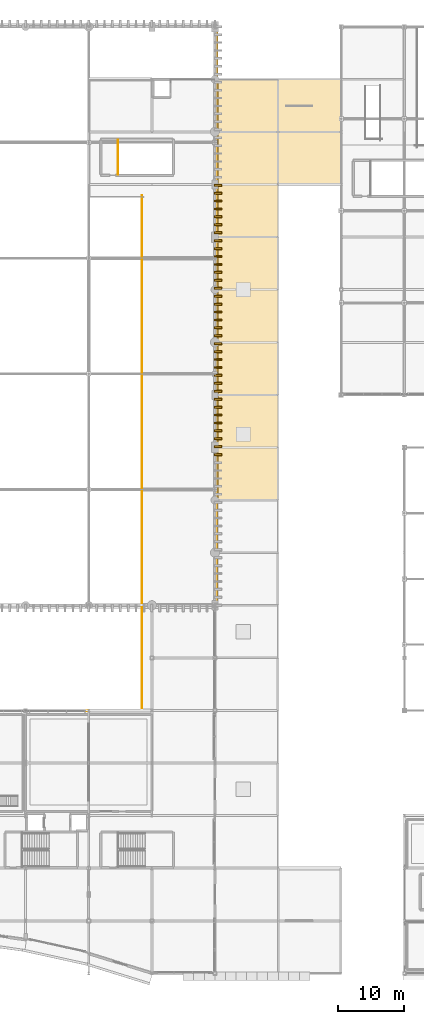
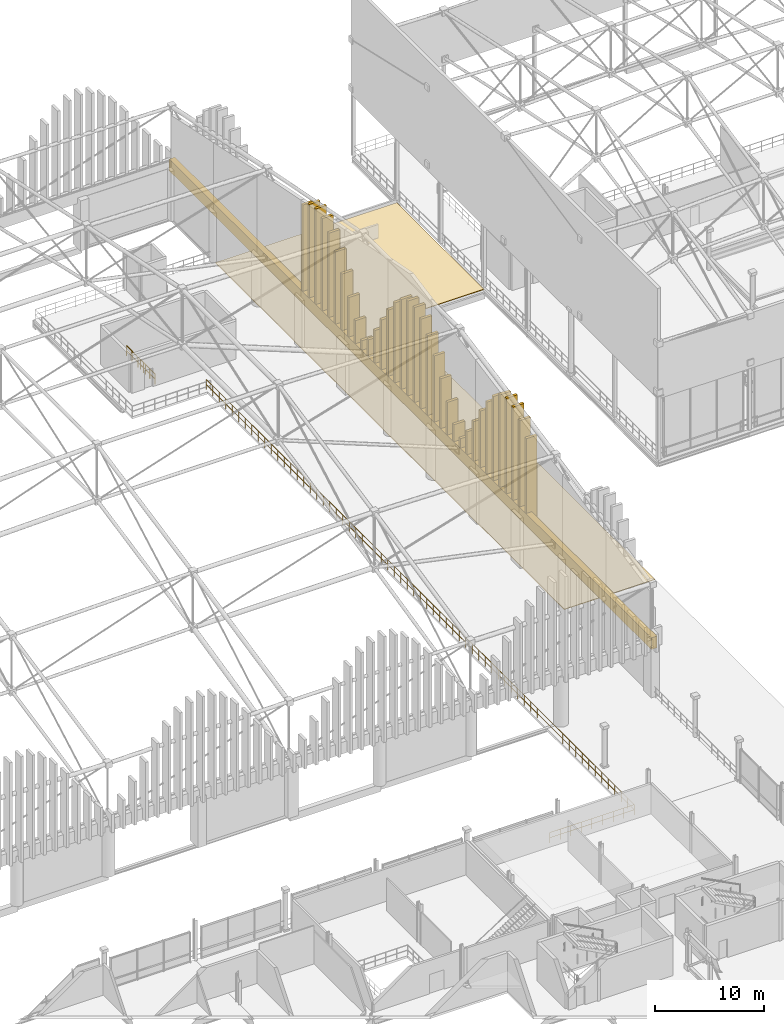
# One storey, part 182 of 193: 37 coverings, 3 railings.
"""IFC4 building model written with IfcOpenShell, lengths in metres."""

from ifc_helpers import new_model, si_unit, direction, frame, origin, origin_2d, place, context, subcontext, project, spatial, polyline, rectangle, circle, outline, extrude, material, layer, layer_set, type_object, element, save


model = new_model("IFC4")

# Units and contexts
model_context = context("Model", 3, precision=1e-05, world=origin(), true_north=direction((0.0, 1.0)))
body_context = subcontext(model_context, "Body", "Model", "MODEL_VIEW")
ifc_project = project(units=[si_unit("LENGTHUNIT", "METRE"), si_unit("AREAUNIT", "SQUARE_METRE"), si_unit("VOLUMEUNIT", "CUBIC_METRE"), si_unit("PLANEANGLEUNIT", "RADIAN"), si_unit("MASSUNIT", "GRAM", prefix="KILO")], contexts=[model_context])

# Site, building, storey
site_placement = place(None, origin())
site = spatial("IfcSite", under=ifc_project, at=site_placement, CompositionType="ELEMENT")
building_placement = place(site_placement, origin())
building = spatial("IfcBuilding", under=site, at=building_placement, Name="Danafjord Basin Convention Centre", CompositionType="ELEMENT")
storey_placement = place(building_placement, frame((0.0, 0.0, 11.39990234375)))
storey = spatial("IfcBuildingStorey", under=building, at=storey_placement, Name="L02", CompositionType="ELEMENT", Elevation=11.39990234375)

# Coverings
ifc_material_1 = material(Name="Architectural white precast concrete C45/55", Category="concrete")
ifc_layer_1 = layer(ifc_material_1, 0.320068359375)
ifc_layer_set_1 = layer_set([ifc_layer_1], Name="Architectural white precast concrete C45/55")
covering_type_1 = type_object("IfcCoveringType", Name="COV-BAND-HORIZ", PredefinedType="CLADDING", material=ifc_layer_set_1)
covering_1_placement = place(storey_placement, frame((115.360107421875, 100.0, 5.0), z_axis=(0.0, 0.0, 1.0), x_axis=(0.0, 1.0, 0.0)))
element("IfcCovering", 1, at=covering_1_placement, inside=storey, type_object=covering_type_1, Name="V1 E mountain-ridge fin screen structural carrier fascia", PredefinedType="CLADDING", context=body_context, shape_type="SweptSolid", body=[
    extrude(rectangle(XDim=88.39990234375, YDim=0.6201171875, at=origin_2d()), origin(), (0.0, 0.0, 1.0), 1.300048828125),
])
ifc_layer_2 = layer(ifc_material_1, 0.280029296875)
ifc_layer_set_2 = layer_set([ifc_layer_2], Name="Architectural white precast concrete C45/55")
covering_type_2 = type_object("IfcCoveringType", Name="COV-FIN-RIDGE", PredefinedType="CLADDING", material=ifc_layer_set_2)
covering_2_placement = place(storey_placement, frame((115.64990234375, 78.904052734375, 5.150146484375), z_axis=(0.0, 0.0, 1.0), x_axis=(1.0, 0.0, 0.0)))
element("IfcCovering", 2, at=covering_2_placement, inside=storey, type_object=covering_type_2, Name="V1 E white vertical mountain-ridge fin 288", PredefinedType="CLADDING", context=body_context, shape_type="SweptSolid", body=[
    extrude(rectangle(XDim=1.139892578125, YDim=0.280029296875, at=origin_2d()), origin(), (0.0, 0.0, 1.0), 9.52001953125),
])
covering_3_placement = place(storey_placement, frame((115.64990234375, 80.109619140625, 5.14990234375), z_axis=(0.0, 0.0, 1.0), x_axis=(1.0, 0.0, 0.0)))
element("IfcCovering", 3, at=covering_3_placement, inside=storey, type_object=covering_type_2, Name="V1 E white vertical mountain-ridge fin 289", PredefinedType="CLADDING", context=body_context, shape_type="SweptSolid", body=[
    extrude(rectangle(XDim=1.139892578125, YDim=0.280029296875, at=origin_2d()), origin(), (0.0, 0.0, 1.0), 10.813232421875),
])
covering_4_placement = place(storey_placement, frame((115.64990234375, 81.315185546875, 5.14990234375), z_axis=(0.0, 0.0, 1.0), x_axis=(1.0, 0.0, 0.0)))
element("IfcCovering", 4, at=covering_4_placement, inside=storey, type_object=covering_type_2, Name="V1 E white vertical mountain-ridge fin 290", PredefinedType="CLADDING", context=body_context, shape_type="SweptSolid", body=[
    extrude(rectangle(XDim=1.139892578125, YDim=0.280029296875, at=origin_2d()), origin(), (0.0, 0.0, 1.0), 11.612548828125),
])
covering_5_placement = place(storey_placement, frame((115.64990234375, 82.5205078125, 5.14990234375), z_axis=(0.0, 0.0, 1.0), x_axis=(1.0, 0.0, 0.0)))
element("IfcCovering", 5, at=covering_5_placement, inside=storey, type_object=covering_type_2, Name="V1 E white vertical mountain-ridge fin 291", PredefinedType="CLADDING", context=body_context, shape_type="SweptSolid", body=[
    extrude(rectangle(XDim=1.139892578125, YDim=0.280029296875, at=origin_2d()), origin(), (0.0, 0.0, 1.0), 11.84716796875),
])
covering_6_placement = place(storey_placement, frame((115.64990234375, 83.72607421875, 5.14990234375), z_axis=(0.0, 0.0, 1.0), x_axis=(1.0, 0.0, 0.0)))
element("IfcCovering", 6, at=covering_6_placement, inside=storey, type_object=covering_type_2, Name="V1 E white vertical mountain-ridge fin 292", PredefinedType="CLADDING", context=body_context, shape_type="SweptSolid", body=[
    extrude(rectangle(XDim=1.139892578125, YDim=0.280029296875, at=origin_2d()), origin(), (0.0, 0.0, 1.0), 11.496337890625),
])
covering_7_placement = place(storey_placement, frame((115.64990234375, 84.931396484375, 5.14990234375), z_axis=(0.0, 0.0, 1.0), x_axis=(1.0, 0.0, 0.0)))
element("IfcCovering", 7, at=covering_7_placement, inside=storey, type_object=covering_type_2, Name="V1 E white vertical mountain-ridge fin 293", PredefinedType="CLADDING", context=body_context, shape_type="SweptSolid", body=[
    extrude(rectangle(XDim=1.139892578125, YDim=0.280029296875, at=origin_2d()), origin(), (0.0, 0.0, 1.0), 10.591064453125),
])
covering_8_placement = place(storey_placement, frame((115.64990234375, 86.136962890625, 5.150146484375), z_axis=(0.0, 0.0, 1.0), x_axis=(1.0, 0.0, 0.0)))
element("IfcCovering", 8, at=covering_8_placement, inside=storey, type_object=covering_type_2, Name="V1 E white vertical mountain-ridge fin 294", PredefinedType="CLADDING", context=body_context, shape_type="SweptSolid", body=[
    extrude(rectangle(XDim=1.139892578125, YDim=0.280029296875, at=origin_2d()), origin(), (0.0, 0.0, 1.0), 9.2119140625),
])
covering_9_placement = place(storey_placement, frame((115.64990234375, 87.342529296875, 5.14990234375), z_axis=(0.0, 0.0, 1.0), x_axis=(1.0, 0.0, 0.0)))
element("IfcCovering", 9, at=covering_9_placement, inside=storey, type_object=covering_type_2, Name="V1 E white vertical mountain-ridge fin 295", PredefinedType="CLADDING", context=body_context, shape_type="SweptSolid", body=[
    extrude(rectangle(XDim=1.139892578125, YDim=0.280029296875, at=origin_2d()), origin(), (0.0, 0.0, 1.0), 7.485107421875),
])
covering_10_placement = place(storey_placement, frame((115.64990234375, 88.5478515625, 5.150146484375), z_axis=(0.0, 0.0, 1.0), x_axis=(1.0, 0.0, 0.0)))
element("IfcCovering", 10, at=covering_10_placement, inside=storey, type_object=covering_type_2, Name="V1 E white vertical mountain-ridge fin 296", PredefinedType="CLADDING", context=body_context, shape_type="SweptSolid", body=[
    extrude(rectangle(XDim=1.139892578125, YDim=0.280029296875, at=origin_2d()), origin(), (0.0, 0.0, 1.0), 5.580078125),
])
covering_11_placement = place(storey_placement, frame((115.64990234375, 89.75341796875, 5.14990234375), z_axis=(0.0, 0.0, 1.0), x_axis=(1.0, 0.0, 0.0)))
element("IfcCovering", 11, at=covering_11_placement, inside=storey, type_object=covering_type_2, Name="V1 E white vertical mountain-ridge fin 297", PredefinedType="CLADDING", context=body_context, shape_type="SweptSolid", body=[
    extrude(rectangle(XDim=1.139892578125, YDim=0.280029296875, at=origin_2d()), origin(), (0.0, 0.0, 1.0), 3.711669921875),
])
covering_12_placement = place(storey_placement, frame((115.64990234375, 90.958984375, 5.14990234375), z_axis=(0.0, 0.0, 1.0), x_axis=(1.0, 0.0, 0.0)))
element("IfcCovering", 12, at=covering_12_placement, inside=storey, type_object=covering_type_2, Name="V1 E white vertical mountain-ridge fin 298", PredefinedType="CLADDING", context=body_context, shape_type="SweptSolid", body=[
    extrude(rectangle(XDim=1.139892578125, YDim=0.280029296875, at=origin_2d()), origin(), (0.0, 0.0, 1.0), 2.214111328125),
])
covering_13_placement = place(storey_placement, frame((115.64990234375, 92.164306640625, 5.14990234375), z_axis=(0.0, 0.0, 1.0), x_axis=(1.0, 0.0, 0.0)))
element("IfcCovering", 13, at=covering_13_placement, inside=storey, type_object=covering_type_2, Name="V1 E white vertical mountain-ridge fin 299", PredefinedType="CLADDING", context=body_context, shape_type="SweptSolid", body=[
    extrude(rectangle(XDim=1.139892578125, YDim=0.280029296875, at=origin_2d()), origin(), (0.0, 0.0, 1.0), 3.038818359375),
])
covering_14_placement = place(storey_placement, frame((115.64990234375, 93.369873046875, 5.150146484375), z_axis=(0.0, 0.0, 1.0), x_axis=(1.0, 0.0, 0.0)))
element("IfcCovering", 14, at=covering_14_placement, inside=storey, type_object=covering_type_2, Name="V1 E white vertical mountain-ridge fin 300", PredefinedType="CLADDING", context=body_context, shape_type="SweptSolid", body=[
    extrude(rectangle(XDim=1.139892578125, YDim=0.280029296875, at=origin_2d()), origin(), (0.0, 0.0, 1.0), 4.81396484375),
])
covering_15_placement = place(storey_placement, frame((115.64990234375, 94.5751953125, 5.14990234375), z_axis=(0.0, 0.0, 1.0), x_axis=(1.0, 0.0, 0.0)))
element("IfcCovering", 15, at=covering_15_placement, inside=storey, type_object=covering_type_2, Name="V1 E white vertical mountain-ridge fin 301", PredefinedType="CLADDING", context=body_context, shape_type="SweptSolid", body=[
    extrude(rectangle(XDim=1.139892578125, YDim=0.280029296875, at=origin_2d()), origin(), (0.0, 0.0, 1.0), 6.733642578125),
])
covering_16_placement = place(storey_placement, frame((115.64990234375, 95.78076171875, 5.150146484375), z_axis=(0.0, 0.0, 1.0), x_axis=(1.0, 0.0, 0.0)))
element("IfcCovering", 16, at=covering_16_placement, inside=storey, type_object=covering_type_2, Name="V1 E white vertical mountain-ridge fin 302", PredefinedType="CLADDING", context=body_context, shape_type="SweptSolid", body=[
    extrude(rectangle(XDim=1.139892578125, YDim=0.280029296875, at=origin_2d()), origin(), (0.0, 0.0, 1.0), 8.55419921875),
])
covering_17_placement = place(storey_placement, frame((115.64990234375, 96.986328125, 5.150390625), z_axis=(0.0, 0.0, 1.0), x_axis=(1.0, 0.0, 0.0)))
element("IfcCovering", 17, at=covering_17_placement, inside=storey, type_object=covering_type_2, Name="V1 E white vertical mountain-ridge fin 303", PredefinedType="CLADDING", context=body_context, shape_type="SweptSolid", body=[
    extrude(rectangle(XDim=1.139892578125, YDim=0.280029296875, at=origin_2d()), origin(), (0.0, 0.0, 1.0), 10.090087890625),
])
covering_18_placement = place(storey_placement, frame((115.64990234375, 98.19189453125, 5.150146484375), z_axis=(0.0, 0.0, 1.0), x_axis=(1.0, 0.0, 0.0)))
element("IfcCovering", 18, at=covering_18_placement, inside=storey, type_object=covering_type_2, Name="V1 E white vertical mountain-ridge fin 304", PredefinedType="CLADDING", context=body_context, shape_type="SweptSolid", body=[
    extrude(rectangle(XDim=1.139892578125, YDim=0.280029296875, at=origin_2d()), origin(), (0.0, 0.0, 1.0), 11.197265625),
])
for number, where, z_axis, x_axis, name in (
    (19, (115.64990234375, 99.397216796875, 5.150146484375), (0.0, 0.0, 1.0), (1.0, 0.0, 0.0), "V1 E white vertical mountain-ridge fin 305"),
    (20, (115.64990234375, 100.602783203125, 5.150146484375), (0.0, 0.0, 1.0), (1.0, 0.0, 0.0), "V1 E white vertical mountain-ridge fin 306"),
):
    element("IfcCovering", number, at=place(storey_placement, frame(where, z_axis=z_axis, x_axis=x_axis)), inside=storey, type_object=covering_type_2, Name=name, PredefinedType="CLADDING", context=body_context, shape_type="SweptSolid", body=[
        extrude(rectangle(XDim=1.139892578125, YDim=0.280029296875, at=origin_2d()), origin(), (0.0, 0.0, 1.0), 11.7763671875),
    ])
covering_19_placement = place(storey_placement, frame((115.64990234375, 101.80810546875, 5.150146484375), z_axis=(0.0, 0.0, 1.0), x_axis=(1.0, 0.0, 0.0)))
element("IfcCovering", 21, at=covering_19_placement, inside=storey, type_object=covering_type_2, Name="V1 E white vertical mountain-ridge fin 307", PredefinedType="CLADDING", context=body_context, shape_type="SweptSolid", body=[
    extrude(rectangle(XDim=1.139892578125, YDim=0.280029296875, at=origin_2d()), origin(), (0.0, 0.0, 1.0), 11.197265625),
])
covering_20_placement = place(storey_placement, frame((115.64990234375, 103.013671875, 5.150390625), z_axis=(0.0, 0.0, 1.0), x_axis=(1.0, 0.0, 0.0)))
element("IfcCovering", 22, at=covering_20_placement, inside=storey, type_object=covering_type_2, Name="V1 E white vertical mountain-ridge fin 308", PredefinedType="CLADDING", context=body_context, shape_type="SweptSolid", body=[
    extrude(rectangle(XDim=1.139892578125, YDim=0.280029296875, at=origin_2d()), origin(), (0.0, 0.0, 1.0), 10.090087890625),
])
covering_21_placement = place(storey_placement, frame((115.64990234375, 104.21923828125, 5.150146484375), z_axis=(0.0, 0.0, 1.0), x_axis=(1.0, 0.0, 0.0)))
element("IfcCovering", 23, at=covering_21_placement, inside=storey, type_object=covering_type_2, Name="V1 E white vertical mountain-ridge fin 309", PredefinedType="CLADDING", context=body_context, shape_type="SweptSolid", body=[
    extrude(rectangle(XDim=1.139892578125, YDim=0.280029296875, at=origin_2d()), origin(), (0.0, 0.0, 1.0), 8.55419921875),
])
covering_22_placement = place(storey_placement, frame((115.64990234375, 105.4248046875, 5.14990234375), z_axis=(0.0, 0.0, 1.0), x_axis=(1.0, 0.0, 0.0)))
element("IfcCovering", 24, at=covering_22_placement, inside=storey, type_object=covering_type_2, Name="V1 E white vertical mountain-ridge fin 310", PredefinedType="CLADDING", context=body_context, shape_type="SweptSolid", body=[
    extrude(rectangle(XDim=1.139892578125, YDim=0.280029296875, at=origin_2d()), origin(), (0.0, 0.0, 1.0), 6.733642578125),
])
covering_23_placement = place(storey_placement, frame((115.64990234375, 106.630126953125, 5.150146484375), z_axis=(0.0, 0.0, 1.0), x_axis=(1.0, 0.0, 0.0)))
element("IfcCovering", 25, at=covering_23_placement, inside=storey, type_object=covering_type_2, Name="V1 E white vertical mountain-ridge fin 311", PredefinedType="CLADDING", context=body_context, shape_type="SweptSolid", body=[
    extrude(rectangle(XDim=1.139892578125, YDim=0.280029296875, at=origin_2d()), origin(), (0.0, 0.0, 1.0), 4.81396484375),
])
covering_24_placement = place(storey_placement, frame((115.64990234375, 107.835693359375, 5.14990234375), z_axis=(0.0, 0.0, 1.0), x_axis=(1.0, 0.0, 0.0)))
element("IfcCovering", 26, at=covering_24_placement, inside=storey, type_object=covering_type_2, Name="V1 E white vertical mountain-ridge fin 312", PredefinedType="CLADDING", context=body_context, shape_type="SweptSolid", body=[
    extrude(rectangle(XDim=1.139892578125, YDim=0.280029296875, at=origin_2d()), origin(), (0.0, 0.0, 1.0), 3.038818359375),
])
covering_25_placement = place(storey_placement, frame((115.64990234375, 109.041015625, 5.14990234375), z_axis=(0.0, 0.0, 1.0), x_axis=(1.0, 0.0, 0.0)))
element("IfcCovering", 27, at=covering_25_placement, inside=storey, type_object=covering_type_2, Name="V1 E white vertical mountain-ridge fin 313", PredefinedType="CLADDING", context=body_context, shape_type="SweptSolid", body=[
    extrude(rectangle(XDim=1.139892578125, YDim=0.280029296875, at=origin_2d()), origin(), (0.0, 0.0, 1.0), 2.214111328125),
])
covering_26_placement = place(storey_placement, frame((115.64990234375, 110.24658203125, 5.14990234375), z_axis=(0.0, 0.0, 1.0), x_axis=(1.0, 0.0, 0.0)))
element("IfcCovering", 28, at=covering_26_placement, inside=storey, type_object=covering_type_2, Name="V1 E white vertical mountain-ridge fin 314", PredefinedType="CLADDING", context=body_context, shape_type="SweptSolid", body=[
    extrude(rectangle(XDim=1.139892578125, YDim=0.280029296875, at=origin_2d()), origin(), (0.0, 0.0, 1.0), 3.711669921875),
])
covering_27_placement = place(storey_placement, frame((115.64990234375, 111.4521484375, 5.150146484375), z_axis=(0.0, 0.0, 1.0), x_axis=(1.0, 0.0, 0.0)))
element("IfcCovering", 29, at=covering_27_placement, inside=storey, type_object=covering_type_2, Name="V1 E white vertical mountain-ridge fin 315", PredefinedType="CLADDING", context=body_context, shape_type="SweptSolid", body=[
    extrude(rectangle(XDim=1.139892578125, YDim=0.280029296875, at=origin_2d()), origin(), (0.0, 0.0, 1.0), 5.580078125),
])
covering_28_placement = place(storey_placement, frame((115.64990234375, 112.657470703125, 5.14990234375), z_axis=(0.0, 0.0, 1.0), x_axis=(1.0, 0.0, 0.0)))
element("IfcCovering", 30, at=covering_28_placement, inside=storey, type_object=covering_type_2, Name="V1 E white vertical mountain-ridge fin 316", PredefinedType="CLADDING", context=body_context, shape_type="SweptSolid", body=[
    extrude(rectangle(XDim=1.139892578125, YDim=0.280029296875, at=origin_2d()), origin(), (0.0, 0.0, 1.0), 7.485107421875),
])
covering_29_placement = place(storey_placement, frame((115.64990234375, 113.863037109375, 5.150146484375), z_axis=(0.0, 0.0, 1.0), x_axis=(1.0, 0.0, 0.0)))
element("IfcCovering", 31, at=covering_29_placement, inside=storey, type_object=covering_type_2, Name="V1 E white vertical mountain-ridge fin 317", PredefinedType="CLADDING", context=body_context, shape_type="SweptSolid", body=[
    extrude(rectangle(XDim=1.139892578125, YDim=0.280029296875, at=origin_2d()), origin(), (0.0, 0.0, 1.0), 9.2119140625),
])
covering_30_placement = place(storey_placement, frame((115.64990234375, 115.068603515625, 5.14990234375), z_axis=(0.0, 0.0, 1.0), x_axis=(1.0, 0.0, 0.0)))
element("IfcCovering", 32, at=covering_30_placement, inside=storey, type_object=covering_type_2, Name="V1 E white vertical mountain-ridge fin 318", PredefinedType="CLADDING", context=body_context, shape_type="SweptSolid", body=[
    extrude(rectangle(XDim=1.139892578125, YDim=0.280029296875, at=origin_2d()), origin(), (0.0, 0.0, 1.0), 10.591064453125),
])
covering_31_placement = place(storey_placement, frame((115.64990234375, 116.27392578125, 5.14990234375), z_axis=(0.0, 0.0, 1.0), x_axis=(1.0, 0.0, 0.0)))
element("IfcCovering", 33, at=covering_31_placement, inside=storey, type_object=covering_type_2, Name="V1 E white vertical mountain-ridge fin 319", PredefinedType="CLADDING", context=body_context, shape_type="SweptSolid", body=[
    extrude(rectangle(XDim=1.139892578125, YDim=0.280029296875, at=origin_2d()), origin(), (0.0, 0.0, 1.0), 11.496337890625),
])
covering_32_placement = place(storey_placement, frame((115.64990234375, 117.4794921875, 5.14990234375), z_axis=(0.0, 0.0, 1.0), x_axis=(1.0, 0.0, 0.0)))
element("IfcCovering", 34, at=covering_32_placement, inside=storey, type_object=covering_type_2, Name="V1 E white vertical mountain-ridge fin 320", PredefinedType="CLADDING", context=body_context, shape_type="SweptSolid", body=[
    extrude(rectangle(XDim=1.139892578125, YDim=0.280029296875, at=origin_2d()), origin(), (0.0, 0.0, 1.0), 11.84716796875),
])
covering_33_placement = place(storey_placement, frame((115.64990234375, 118.684814453125, 5.14990234375), z_axis=(0.0, 0.0, 1.0), x_axis=(1.0, 0.0, 0.0)))
element("IfcCovering", 35, at=covering_33_placement, inside=storey, type_object=covering_type_2, Name="V1 E white vertical mountain-ridge fin 321", PredefinedType="CLADDING", context=body_context, shape_type="SweptSolid", body=[
    extrude(rectangle(XDim=1.139892578125, YDim=0.280029296875, at=origin_2d()), origin(), (0.0, 0.0, 1.0), 11.612548828125),
])
covering_34_placement = place(storey_placement, frame((115.64990234375, 119.890380859375, 5.14990234375), z_axis=(0.0, 0.0, 1.0), x_axis=(1.0, 0.0, 0.0)))
element("IfcCovering", 36, at=covering_34_placement, inside=storey, type_object=covering_type_2, Name="V1 E white vertical mountain-ridge fin 322", PredefinedType="CLADDING", context=body_context, shape_type="SweptSolid", body=[
    extrude(rectangle(XDim=1.139892578125, YDim=0.280029296875, at=origin_2d()), origin(), (0.0, 0.0, 1.0), 10.813232421875),
])
ifc_material_2 = material(Name="EPDM insulated roof membrane")
ifc_layer_3 = layer(ifc_material_2, 0.06005859375)
ifc_layer_set_3 = layer_set([ifc_layer_3], Name="EPDM insulated roof membrane")
covering_type_3 = type_object("IfcCoveringType", Name="COV-ROOF-EPDM", PredefinedType="ROOFING", material=ifc_layer_set_3)
covering_35_placement = place(storey_placement, frame((0.0, 0.0, -0.419921875)))
element("IfcCovering", 37, at=covering_35_placement, inside=storey, type_object=covering_type_3, Name="L02 roof membrane RF-FLAT-V6N", PredefinedType="ROOFING", context=body_context, shape_type="SweptSolid", body=[
    extrude(outline(polyline([(115.199951171875, 72.0), (115.199951171875, 136.0), (134.39990234375, 136.0), (134.39990234375, 120.0), (124.800048828125, 120.0), (124.800048828125, 72.0), (115.199951171875, 72.0)])), origin(), (0.0, 0.0, 1.0), 0.06005859375),
])

# Railings
ifc_material_3 = material(Name="Laminated structural glass and stainless steel", Category="steel")
railing_type_1 = type_object("IfcRailingType", Name="RL-BAL-GLS", PredefinedType="BALUSTRADE", material=ifc_material_3)
railing_1_placement = place(storey_placement, frame((95.1201171875, 39.919921875, 0.0)))
element("IfcRailing", 38, at=railing_1_placement, inside=storey, type_object=railing_type_1, Name="L02 safety guard balustrade 199", PredefinedType="BALUSTRADE", context=body_context, shape_type="SweptSolid", body=[
    extrude(circle(Radius=0.02392578125, at=origin_2d()), frame((0.0, 0.0, 1.1259765625), z_axis=(1.0, 0.0, 0.0), x_axis=(0.0, 1.0, 0.0)), (0.0, 0.0, 1.0), 8.9599609375),
    extrude(circle(Radius=0.02392578125, at=origin_2d()), frame((0.0, 0.0, 0.55078125), z_axis=(1.0, 0.0, 0.0), x_axis=(0.0, 1.0, 0.0)), (0.0, 0.0, 1.0), 8.9599609375),
    extrude(circle(Radius=0.02392578125, at=origin_2d()), frame((8.9599609375, 0.0, 1.1259765625), z_axis=(0.0, 1.0, 0.0), x_axis=(-1.0, 0.0, 0.0)), (0.0, 0.0, 1.0), 78.440185546875),
    extrude(circle(Radius=0.02392578125, at=origin_2d()), frame((8.9599609375, 0.0, 0.55078125), z_axis=(0.0, 1.0, 0.0), x_axis=(-1.0, 0.0, 0.0)), (0.0, 0.0, 1.0), 78.440185546875),
    extrude(circle(Radius=0.02099609375, at=origin_2d()), origin(), (0.0, 0.0, 1.0), 1.099853515625),
    extrude(circle(Radius=0.02099609375, at=origin_2d()), frame((1.1201171875, 0.0, 0.0)), (0.0, 0.0, 1.0), 1.099853515625),
    extrude(circle(Radius=0.02099609375, at=origin_2d()), frame((2.239990234375, 0.0, 0.0)), (0.0, 0.0, 1.0), 1.099853515625),
    extrude(circle(Radius=0.02099609375, at=origin_2d()), frame((3.35986328125, 0.0, 0.0)), (0.0, 0.0, 1.0), 1.099853515625),
    extrude(circle(Radius=0.02099609375, at=origin_2d()), frame((4.47998046875, 0.0, 0.0)), (0.0, 0.0, 1.0), 1.099853515625),
    extrude(circle(Radius=0.02099609375, at=origin_2d()), frame((5.60009765625, 0.0, 0.0)), (0.0, 0.0, 1.0), 1.099853515625),
    extrude(circle(Radius=0.02099609375, at=origin_2d()), frame((6.719970703125, 0.0, 0.0)), (0.0, 0.0, 1.0), 1.099853515625),
    extrude(circle(Radius=0.02099609375, at=origin_2d()), frame((7.83984375, 0.0, 0.0)), (0.0, 0.0, 1.0), 1.099853515625),
    extrude(circle(Radius=0.02099609375, at=origin_2d()), frame((8.9599609375, 0.0, 0.0)), (0.0, 0.0, 1.0), 1.099853515625),
    extrude(circle(Radius=0.02099609375, at=origin_2d()), frame((8.9599609375, 1.1884765625, 0.0)), (0.0, 0.0, 1.0), 1.099853515625),
    extrude(circle(Radius=0.02099609375, at=origin_2d()), frame((8.9599609375, 2.376953125, 0.0)), (0.0, 0.0, 1.0), 1.099853515625),
    extrude(circle(Radius=0.02099609375, at=origin_2d()), frame((8.9599609375, 3.5654296875, 0.0)), (0.0, 0.0, 1.0), 1.099853515625),
    extrude(circle(Radius=0.02099609375, at=origin_2d()), frame((8.9599609375, 4.75390625, 0.0)), (0.0, 0.0, 1.0), 1.099853515625),
    extrude(circle(Radius=0.02099609375, at=origin_2d()), frame((8.9599609375, 5.9423828125, 0.0)), (0.0, 0.0, 1.0), 1.099853515625),
    extrude(circle(Radius=0.02099609375, at=origin_2d()), frame((8.9599609375, 7.130859375, 0.0)), (0.0, 0.0, 1.0), 1.099853515625),
    extrude(circle(Radius=0.02099609375, at=origin_2d()), frame((8.9599609375, 8.3193359375, 0.0)), (0.0, 0.0, 1.0), 1.099853515625),
    extrude(circle(Radius=0.02099609375, at=origin_2d()), frame((8.9599609375, 9.5078125, 0.0)), (0.0, 0.0, 1.0), 1.099853515625),
    extrude(circle(Radius=0.02099609375, at=origin_2d()), frame((8.9599609375, 10.6962890625, 0.0)), (0.0, 0.0, 1.0), 1.099853515625),
    extrude(circle(Radius=0.02099609375, at=origin_2d()), frame((8.9599609375, 11.884765625, 0.0)), (0.0, 0.0, 1.0), 1.099853515625),
    extrude(circle(Radius=0.02099609375, at=origin_2d()), frame((8.9599609375, 13.0732421875, 0.0)), (0.0, 0.0, 1.0), 1.099853515625),
    extrude(circle(Radius=0.02099609375, at=origin_2d()), frame((8.9599609375, 14.261962890625, 0.0)), (0.0, 0.0, 1.0), 1.099853515625),
    extrude(circle(Radius=0.02099609375, at=origin_2d()), frame((8.9599609375, 15.450439453125, 0.0)), (0.0, 0.0, 1.0), 1.099853515625),
    extrude(circle(Radius=0.02099609375, at=origin_2d()), frame((8.9599609375, 16.638916015625, 0.0)), (0.0, 0.0, 1.0), 1.099853515625),
    extrude(circle(Radius=0.02099609375, at=origin_2d()), frame((8.9599609375, 17.827392578125, 0.0)), (0.0, 0.0, 1.0), 1.099853515625),
    extrude(circle(Radius=0.02099609375, at=origin_2d()), frame((8.9599609375, 19.015869140625, 0.0)), (0.0, 0.0, 1.0), 1.099853515625),
    extrude(circle(Radius=0.02099609375, at=origin_2d()), frame((8.9599609375, 20.204345703125, 0.0)), (0.0, 0.0, 1.0), 1.099853515625),
    extrude(circle(Radius=0.02099609375, at=origin_2d()), frame((8.9599609375, 21.392822265625, 0.0)), (0.0, 0.0, 1.0), 1.099853515625),
    extrude(circle(Radius=0.02099609375, at=origin_2d()), frame((8.9599609375, 22.581298828125, 0.0)), (0.0, 0.0, 1.0), 1.099853515625),
    extrude(circle(Radius=0.02099609375, at=origin_2d()), frame((8.9599609375, 23.769775390625, 0.0)), (0.0, 0.0, 1.0), 1.099853515625),
    extrude(circle(Radius=0.02099609375, at=origin_2d()), frame((8.9599609375, 24.958251953125, 0.0)), (0.0, 0.0, 1.0), 1.099853515625),
    extrude(circle(Radius=0.02099609375, at=origin_2d()), frame((8.9599609375, 26.146728515625, 0.0)), (0.0, 0.0, 1.0), 1.099853515625),
    extrude(circle(Radius=0.02099609375, at=origin_2d()), frame((8.9599609375, 27.335205078125, 0.0)), (0.0, 0.0, 1.0), 1.099853515625),
    extrude(circle(Radius=0.02099609375, at=origin_2d()), frame((8.9599609375, 28.523681640625, 0.0)), (0.0, 0.0, 1.0), 1.099853515625),
    extrude(circle(Radius=0.02099609375, at=origin_2d()), frame((8.9599609375, 29.712158203125, 0.0)), (0.0, 0.0, 1.0), 1.099853515625),
    extrude(circle(Radius=0.02099609375, at=origin_2d()), frame((8.9599609375, 30.900634765625, 0.0)), (0.0, 0.0, 1.0), 1.099853515625),
    extrude(circle(Radius=0.02099609375, at=origin_2d()), frame((8.9599609375, 32.089111328125, 0.0)), (0.0, 0.0, 1.0), 1.099853515625),
    extrude(circle(Radius=0.02099609375, at=origin_2d()), frame((8.9599609375, 33.277587890625, 0.0)), (0.0, 0.0, 1.0), 1.099853515625),
    extrude(circle(Radius=0.02099609375, at=origin_2d()), frame((8.9599609375, 34.466064453125, 0.0)), (0.0, 0.0, 1.0), 1.099853515625),
    extrude(circle(Radius=0.02099609375, at=origin_2d()), frame((8.9599609375, 35.654541015625, 0.0)), (0.0, 0.0, 1.0), 1.099853515625),
    extrude(circle(Radius=0.02099609375, at=origin_2d()), frame((8.9599609375, 36.843017578125, 0.0)), (0.0, 0.0, 1.0), 1.099853515625),
    extrude(circle(Radius=0.02099609375, at=origin_2d()), frame((8.9599609375, 38.031494140625, 0.0)), (0.0, 0.0, 1.0), 1.099853515625),
    extrude(circle(Radius=0.02099609375, at=origin_2d()), frame((8.9599609375, 39.22021484375, 0.0)), (0.0, 0.0, 1.0), 1.099853515625),
    extrude(circle(Radius=0.02099609375, at=origin_2d()), frame((8.9599609375, 40.40869140625, 0.0)), (0.0, 0.0, 1.0), 1.099853515625),
    extrude(circle(Radius=0.02099609375, at=origin_2d()), frame((8.9599609375, 41.59716796875, 0.0)), (0.0, 0.0, 1.0), 1.099853515625),
    extrude(circle(Radius=0.02099609375, at=origin_2d()), frame((8.9599609375, 42.78564453125, 0.0)), (0.0, 0.0, 1.0), 1.099853515625),
    extrude(circle(Radius=0.02099609375, at=origin_2d()), frame((8.9599609375, 43.97412109375, 0.0)), (0.0, 0.0, 1.0), 1.099853515625),
    extrude(circle(Radius=0.02099609375, at=origin_2d()), frame((8.9599609375, 45.16259765625, 0.0)), (0.0, 0.0, 1.0), 1.099853515625),
    extrude(circle(Radius=0.02099609375, at=origin_2d()), frame((8.9599609375, 46.35107421875, 0.0)), (0.0, 0.0, 1.0), 1.099853515625),
    extrude(circle(Radius=0.02099609375, at=origin_2d()), frame((8.9599609375, 47.53955078125, 0.0)), (0.0, 0.0, 1.0), 1.099853515625),
    extrude(circle(Radius=0.02099609375, at=origin_2d()), frame((8.9599609375, 48.72802734375, 0.0)), (0.0, 0.0, 1.0), 1.099853515625),
    extrude(circle(Radius=0.02099609375, at=origin_2d()), frame((8.9599609375, 49.91650390625, 0.0)), (0.0, 0.0, 1.0), 1.099853515625),
    extrude(circle(Radius=0.02099609375, at=origin_2d()), frame((8.9599609375, 51.10498046875, 0.0)), (0.0, 0.0, 1.0), 1.099853515625),
    extrude(circle(Radius=0.02099609375, at=origin_2d()), frame((8.9599609375, 52.29345703125, 0.0)), (0.0, 0.0, 1.0), 1.099853515625),
    extrude(circle(Radius=0.02099609375, at=origin_2d()), frame((8.9599609375, 53.48193359375, 0.0)), (0.0, 0.0, 1.0), 1.099853515625),
    extrude(circle(Radius=0.02099609375, at=origin_2d()), frame((8.9599609375, 54.67041015625, 0.0)), (0.0, 0.0, 1.0), 1.099853515625),
    extrude(circle(Radius=0.02099609375, at=origin_2d()), frame((8.9599609375, 55.85888671875, 0.0)), (0.0, 0.0, 1.0), 1.099853515625),
    extrude(circle(Radius=0.02099609375, at=origin_2d()), frame((8.9599609375, 57.04736328125, 0.0)), (0.0, 0.0, 1.0), 1.099853515625),
    extrude(circle(Radius=0.02099609375, at=origin_2d()), frame((8.9599609375, 58.23583984375, 0.0)), (0.0, 0.0, 1.0), 1.099853515625),
    extrude(circle(Radius=0.02099609375, at=origin_2d()), frame((8.9599609375, 59.42431640625, 0.0)), (0.0, 0.0, 1.0), 1.099853515625),
    extrude(circle(Radius=0.02099609375, at=origin_2d()), frame((8.9599609375, 60.61279296875, 0.0)), (0.0, 0.0, 1.0), 1.099853515625),
    extrude(circle(Radius=0.02099609375, at=origin_2d()), frame((8.9599609375, 61.80126953125, 0.0)), (0.0, 0.0, 1.0), 1.099853515625),
    extrude(circle(Radius=0.02099609375, at=origin_2d()), frame((8.9599609375, 62.98974609375, 0.0)), (0.0, 0.0, 1.0), 1.099853515625),
    extrude(circle(Radius=0.02099609375, at=origin_2d()), frame((8.9599609375, 64.17822265625, 0.0)), (0.0, 0.0, 1.0), 1.099853515625),
    extrude(circle(Radius=0.02099609375, at=origin_2d()), frame((8.9599609375, 65.36669921875, 0.0)), (0.0, 0.0, 1.0), 1.099853515625),
    extrude(circle(Radius=0.02099609375, at=origin_2d()), frame((8.9599609375, 66.555419921875, 0.0)), (0.0, 0.0, 1.0), 1.099853515625),
    extrude(circle(Radius=0.02099609375, at=origin_2d()), frame((8.9599609375, 67.743896484375, 0.0)), (0.0, 0.0, 1.0), 1.099853515625),
    extrude(circle(Radius=0.02099609375, at=origin_2d()), frame((8.9599609375, 68.932373046875, 0.0)), (0.0, 0.0, 1.0), 1.099853515625),
    extrude(circle(Radius=0.02099609375, at=origin_2d()), frame((8.9599609375, 70.120849609375, 0.0)), (0.0, 0.0, 1.0), 1.099853515625),
    extrude(circle(Radius=0.02099609375, at=origin_2d()), frame((8.9599609375, 71.309326171875, 0.0)), (0.0, 0.0, 1.0), 1.099853515625),
    extrude(circle(Radius=0.02099609375, at=origin_2d()), frame((8.9599609375, 72.497802734375, 0.0)), (0.0, 0.0, 1.0), 1.099853515625),
    extrude(circle(Radius=0.02099609375, at=origin_2d()), frame((8.9599609375, 73.686279296875, 0.0)), (0.0, 0.0, 1.0), 1.099853515625),
    extrude(circle(Radius=0.02099609375, at=origin_2d()), frame((8.9599609375, 74.874755859375, 0.0)), (0.0, 0.0, 1.0), 1.099853515625),
    extrude(circle(Radius=0.02099609375, at=origin_2d()), frame((8.9599609375, 76.063232421875, 0.0)), (0.0, 0.0, 1.0), 1.099853515625),
    extrude(circle(Radius=0.02099609375, at=origin_2d()), frame((8.9599609375, 77.251708984375, 0.0)), (0.0, 0.0, 1.0), 1.099853515625),
    extrude(circle(Radius=0.02099609375, at=origin_2d()), frame((8.9599609375, 78.440185546875, 0.0)), (0.0, 0.0, 1.0), 1.099853515625),
])
ifc_material_4 = material(Name="Galvanised and powder-coated steel S355", Category="steel")
railing_type_2 = type_object("IfcRailingType", Name="RL-BAL-STL", PredefinedType="BALUSTRADE", material=ifc_material_4)
railing_2_placement = place(storey_placement, frame((100.449951171875, 126.75, 0.0)))
element("IfcRailing", 39, at=railing_2_placement, inside=storey, type_object=railing_type_2, Name="L02 safety guard balustrade 201", PredefinedType="BALUSTRADE", context=body_context, shape_type="SweptSolid", body=[
    extrude(circle(Radius=0.02392578125, at=origin_2d()), frame((0.0, 0.0, 1.1259765625), z_axis=(0.0, -1.0, 0.0), x_axis=(1.0, 0.0, 0.0)), (0.0, 0.0, 1.0), 5.239990234375),
    extrude(circle(Radius=0.02392578125, at=origin_2d()), frame((0.0, 0.0, 0.55078125), z_axis=(0.0, -1.0, 0.0), x_axis=(1.0, 0.0, 0.0)), (0.0, 0.0, 1.0), 5.239990234375),
    extrude(circle(Radius=0.02099609375, at=origin_2d()), origin(), (0.0, 0.0, 1.0), 1.099853515625),
    extrude(circle(Radius=0.02099609375, at=origin_2d()), frame((0.0, -1.048095703125, 0.0)), (0.0, 0.0, 1.0), 1.099853515625),
    extrude(circle(Radius=0.02099609375, at=origin_2d()), frame((0.0, -2.095947265625, 0.0)), (0.0, 0.0, 1.0), 1.099853515625),
    extrude(circle(Radius=0.02099609375, at=origin_2d()), frame((0.0, -3.14404296875, 0.0)), (0.0, 0.0, 1.0), 1.099853515625),
    extrude(circle(Radius=0.02099609375, at=origin_2d()), frame((0.0, -4.19189453125, 0.0)), (0.0, 0.0, 1.0), 1.099853515625),
    extrude(circle(Radius=0.02099609375, at=origin_2d()), frame((0.0, -5.239990234375, 0.0)), (0.0, 0.0, 1.0), 1.099853515625),
])
ifc_material_5 = material(Name="Galvanised steel S355", Category="steel")
railing_type_3 = type_object("IfcRailingType", Name="RL-GD-WELL", PredefinedType="BALUSTRADE", material=ifc_material_5)
railing_3_placement = place(storey_placement, frame((100.47998046875, 121.56005859375, 0.0)))
element("IfcRailing", 40, at=railing_3_placement, inside=storey, type_object=railing_type_3, Name="L02 ST-09 top well guard 1", PredefinedType="BALUSTRADE", context=body_context, shape_type="SweptSolid", body=[
    extrude(circle(Radius=0.02392578125, at=origin_2d()), frame((0.0, 0.0, 1.076171875), z_axis=(0.0, 1.0, 0.0), x_axis=(-1.0, 0.0, 0.0)), (0.0, 0.0, 1.0), 2.639892578125),
    extrude(circle(Radius=0.02392578125, at=origin_2d()), frame((0.0, 0.0, 0.52587890625), z_axis=(0.0, 1.0, 0.0), x_axis=(-1.0, 0.0, 0.0)), (0.0, 0.0, 1.0), 2.639892578125),
    extrude(circle(Radius=0.02099609375, at=origin_2d()), origin(), (0.0, 0.0, 1.0), 1.050048828125),
    extrude(circle(Radius=0.02099609375, at=origin_2d()), frame((0.0, 0.8798828125, 0.0)), (0.0, 0.0, 1.0), 1.050048828125),
    extrude(circle(Radius=0.02099609375, at=origin_2d()), frame((0.0, 1.760009765625, 0.0)), (0.0, 0.0, 1.0), 1.050048828125),
    extrude(circle(Radius=0.02099609375, at=origin_2d()), frame((0.0, 2.639892578125, 0.0)), (0.0, 0.0, 1.0), 1.050048828125),
])

save(model, "model.ifc")
